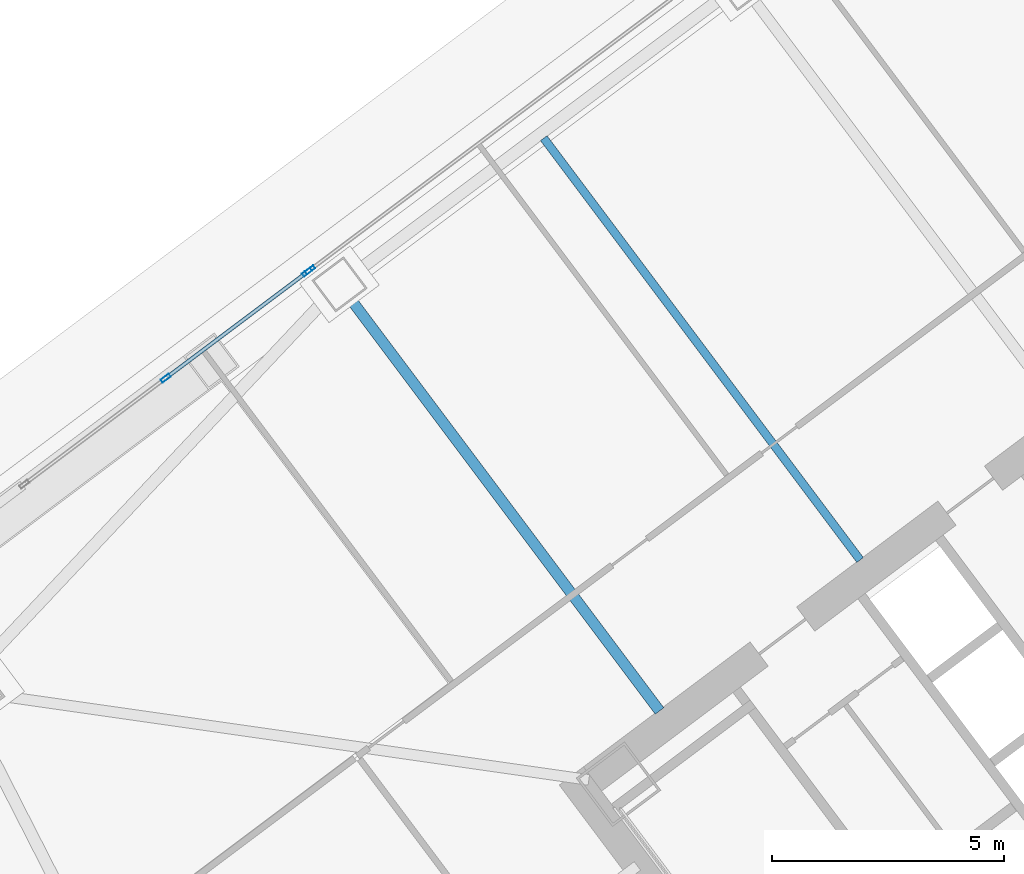
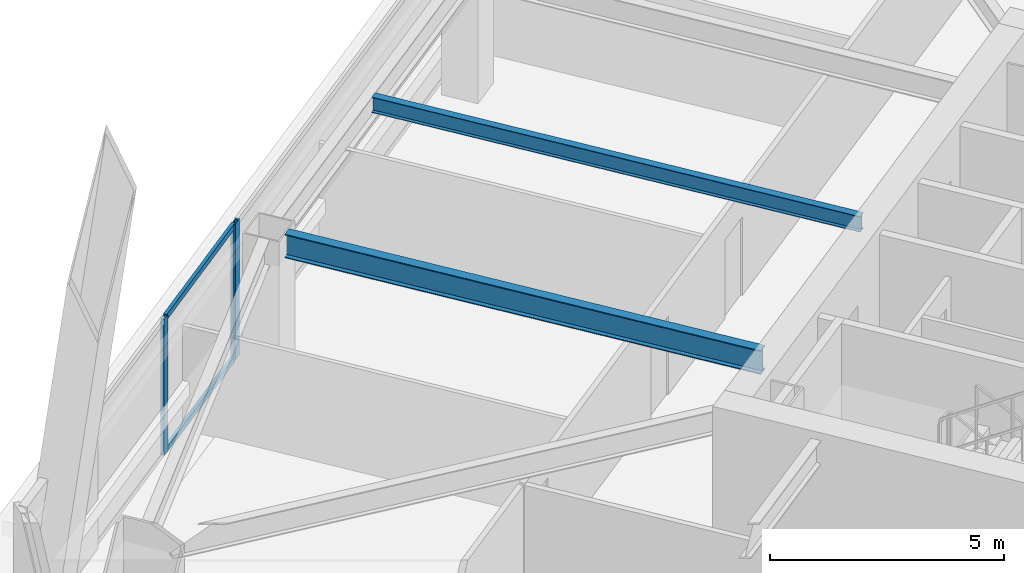
# One storey, part 47 of 67: 5 members, 2 beams, 2 elements without a shape of their own.
"""IFC4 building model written with IfcOpenShell, lengths in metres."""

from ifc_helpers import new_model, si_unit, direction, frame, origin, origin_2d, place, context, subcontext, project, spatial, hollow_rectangle, i_section, extrude, material, material_profile, profile_set, type_object, element, aggregate, save


model = new_model("IFC4")

# Units and contexts
model_context = context("Model", 3, precision=1e-05, world=origin(), true_north=direction((0.0, 1.0)))
body_context = subcontext(model_context, "Body", "Model", "MODEL_VIEW")
ifc_project = project(units=[si_unit("LENGTHUNIT", "METRE"), si_unit("AREAUNIT", "SQUARE_METRE"), si_unit("VOLUMEUNIT", "CUBIC_METRE"), si_unit("PLANEANGLEUNIT", "RADIAN"), si_unit("MASSUNIT", "GRAM", prefix="KILO")], contexts=[model_context])

# Site, building, storey
site_placement = place(None, origin())
site = spatial("IfcSite", under=ifc_project, at=site_placement, CompositionType="ELEMENT")
building_placement = place(site_placement, origin())
building = spatial("IfcBuilding", under=site, at=building_placement, Name="Tashvorn Skyway Center", CompositionType="ELEMENT")
storey_placement = place(building_placement, frame((0.0, 0.0, 67.199951171875)))
storey = spatial("IfcBuildingStorey", under=building, at=storey_placement, Name="L17", CompositionType="ELEMENT", Elevation=67.199951171875)

# Beams
ifc_material_1 = material(Name="Steel ASTM A992 Grade 50", Category="steel")
ifc_material_profile_1 = material_profile(ifc_material_1, i_section(OverallWidth=0.22998046875, OverallDepth=0.616943359375, WebThickness=0.01318359375, FlangeThickness=0.022216796875, at=origin_2d()), Name="W24X94")
ifc_profile_set_1 = profile_set([ifc_material_profile_1], Name="Steel ASTM A992 Grade 50")
beam_type_1 = type_object("IfcBeamType", Name="BM-BEAM-W24X94", PredefinedType="BEAM", material=ifc_profile_set_1)
beam_1_placement = place(storey_placement, frame((98.382080078125, 43.823974609375, 3.04150390625), z_axis=(0.599989394744, -0.800007953832, 0.0), x_axis=(0.800007953832, 0.599989394744, 0.0)))
element("IfcBeam", 1, at=beam_1_placement, inside=storey, type_object=beam_type_1, Name="Tower 2 L17 Primary Floor Girder FC-N2", PredefinedType="BEAM", context=body_context, shape_type="SweptSolid", body=[
    extrude(i_section(OverallWidth=0.22998046875, OverallDepth=0.616943359375, WebThickness=0.01318359375, FlangeThickness=0.022216796875, at=origin_2d()), origin(), (0.0, 0.0, 1.0), 11.050048828125),
])
ifc_material_profile_2 = material_profile(ifc_material_1, i_section(OverallWidth=0.177978515625, OverallDepth=0.406005859375, WebThickness=0.0078125, FlangeThickness=0.0126953125, at=origin_2d()), Name="W16X40")
ifc_profile_set_2 = profile_set([ifc_material_profile_2], Name="Steel ASTM A992 Grade 50")
beam_type_2 = type_object("IfcBeamType", Name="BM-JOIST-W16X40", PredefinedType="JOIST", material=ifc_profile_set_2)
beam_2_placement = place(storey_placement, frame((109.325927734375, 38.23193359375, 3.14697265625), z_axis=(-0.599996555327, 0.800002583493, 0.0), x_axis=(-0.800002583493, -0.599996555327, 0.0)))
element("IfcBeam", 2, at=beam_2_placement, inside=storey, type_object=beam_type_2, Name="Tower 2 L17 Secondary Composite Joist JN", PredefinedType="JOIST", context=body_context, shape_type="SweptSolid", body=[
    extrude(i_section(OverallWidth=0.177978515625, OverallDepth=0.406005859375, WebThickness=0.0078125, FlangeThickness=0.0126953125, at=origin_2d()), origin(), (0.0, 0.0, 1.0), 11.340087890625),
])

# Curtain wall, members
ifc_material_2 = material(Name="Thermally broken bronze-anodized aluminium 6063-T6", Category="aluminium")
curtain_wall_type = type_object("IfcCurtainWallType", Name="CW-CW-Z2", PredefinedType="NOTDEFINED", material=ifc_material_2)
curtain_wall_1_placement = place(storey_placement, origin())
curtain_wall_1 = element("IfcCurtainWall", 3, at=curtain_wall_1_placement, inside=storey, type_object=curtain_wall_type, Name="Tower 2 L17 North Unitised Curtain Wall Glazing Group 1", PredefinedType="NOTDEFINED")
ifc_material_profile_3 = material_profile(ifc_material_2, hollow_rectangle(XDim=0.080078125, YDim=0.219970703125, WallThickness=0.0048828125, at=origin_2d()), Name="ALU-MULL-80x220")
ifc_profile_set_3 = profile_set([ifc_material_profile_3], Name="Thermally broken bronze-anodized aluminium 6063-T6")
member_type_1 = type_object("IfcMemberType", Name="CWM-CW-Z2", PredefinedType="MULLION", material=ifc_profile_set_3)
member_1_placement = place(storey_placement, frame((94.39208984375, 42.14404296875, 0.0), z_axis=(0.0, 0.0, 1.0), x_axis=(-0.600000000002, 0.799999999998, 0.0)))
member_1 = element("IfcMember", 4, at=member_1_placement, type_object=member_type_1, Name="CW-Z2 mullion 2", PredefinedType="MULLION", context=body_context, shape_type="SweptSolid", body=[
    extrude(hollow_rectangle(XDim=0.080078125, YDim=0.219970703125, WallThickness=0.0048828125, at=origin_2d()), origin(), (0.0, 0.0, 1.0), 3.550048828125),
])
member_2_placement = place(storey_placement, frame((97.431884765625, 44.424072265625, 0.0), z_axis=(0.0, 0.0, 1.0), x_axis=(-0.600000000002, 0.799999999998, 0.0)))
member_2 = element("IfcMember", 5, at=member_2_placement, type_object=member_type_1, Name="CW-Z2 mullion 3", PredefinedType="MULLION", context=body_context, shape_type="SweptSolid", body=[
    extrude(hollow_rectangle(XDim=0.080078125, YDim=0.219970703125, WallThickness=0.0048828125, at=origin_2d()), origin(), (0.0, 0.0, 1.0), 3.550048828125),
])

# Curtain wall, member
curtain_wall_2_placement = place(storey_placement, origin())
curtain_wall_2 = element("IfcCurtainWall", 6, at=curtain_wall_2_placement, inside=storey, type_object=curtain_wall_type, Name="Tower 2 L17 North Unitised Curtain Wall Glazing Group 2", PredefinedType="NOTDEFINED")
member_3_placement = place(storey_placement, frame((97.49609375, 44.471923828125, 0.0), z_axis=(0.0, 0.0, 1.0), x_axis=(-0.600000000002, 0.799999999998, 0.0)))
member_3 = element("IfcMember", 7, at=member_3_placement, type_object=member_type_1, Name="CW-Z2 mullion 1", PredefinedType="MULLION", context=body_context, shape_type="SweptSolid", body=[
    extrude(hollow_rectangle(XDim=0.080078125, YDim=0.219970703125, WallThickness=0.0048828125, at=origin_2d()), origin(), (0.0, 0.0, 1.0), 3.550048828125),
])
aggregate(curtain_wall_2, [member_3])

# Member
ifc_material_profile_4 = material_profile(ifc_material_2, hollow_rectangle(XDim=0.080078125, YDim=0.14990234375, WallThickness=0.00439453125, at=origin_2d()), Name="ALU-TRAN-80x150")
ifc_profile_set_4 = profile_set([ifc_material_profile_4], Name="Thermally broken bronze-anodized aluminium 6063-T6")
member_type_2 = type_object("IfcMemberType", Name="CWT-CW-Z2", PredefinedType="USERDEFINED", material=ifc_profile_set_4)
member_4_placement = place(storey_placement, frame((94.424072265625, 42.16796875, 0.0400390625), z_axis=(0.799992124055, 0.600010501117, 0.0), x_axis=(-0.600010501117, 0.799992124055, 0.0)))
member_4 = element("IfcMember", 8, at=member_4_placement, type_object=member_type_2, Name="CW-Z2 transom 2.1", ObjectType="TRANSOM", PredefinedType="USERDEFINED", context=body_context, shape_type="SweptSolid", body=[
    extrude(hollow_rectangle(XDim=0.080078125, YDim=0.14990234375, WallThickness=0.00439453125, at=origin_2d()), origin(), (0.0, 0.0, 1.0), 3.7197265625),
])

member_5_placement = place(storey_placement, frame((94.424072265625, 42.16796875, 3.510009765625), z_axis=(0.799992124055, 0.600010501117, 0.0), x_axis=(-0.600010501117, 0.799992124055, 0.0)))
member_5 = element("IfcMember", 9, at=member_5_placement, type_object=member_type_2, Name="CW-Z2 transom 2.2", ObjectType="TRANSOM", PredefinedType="USERDEFINED", context=body_context, shape_type="SweptSolid", body=[
    extrude(hollow_rectangle(XDim=0.080078125, YDim=0.14990234375, WallThickness=0.00439453125, at=origin_2d()), origin(), (0.0, 0.0, 1.0), 3.7197265625),
])

aggregate(curtain_wall_1, [member_1, member_2, member_4, member_5])

save(model, "model.ifc")
